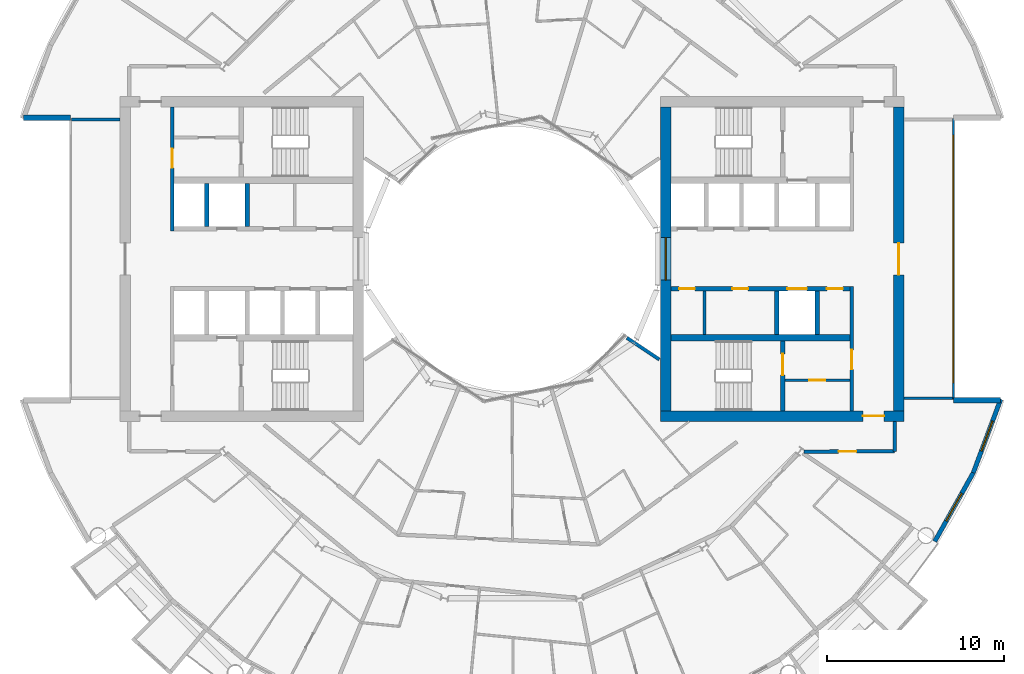
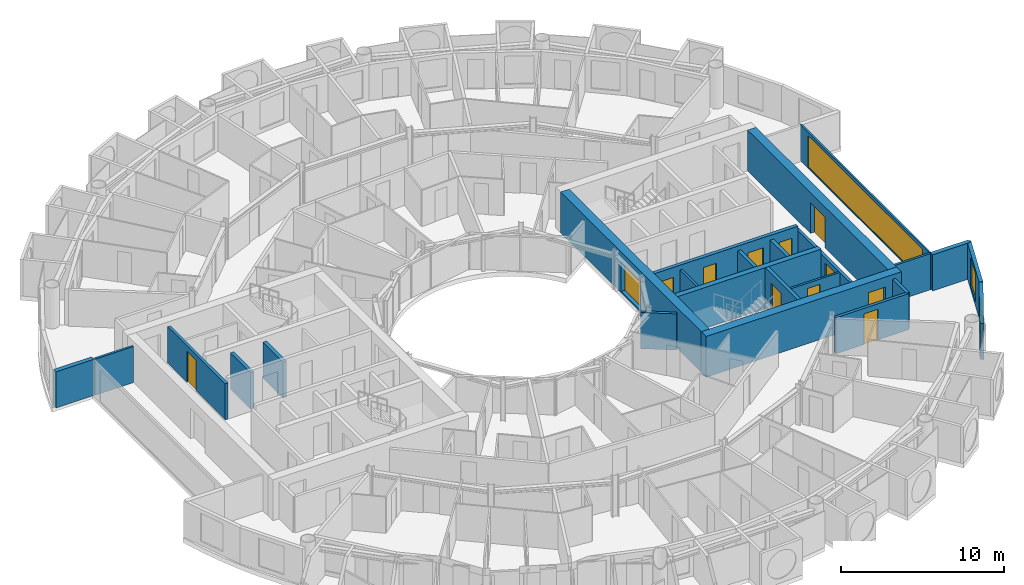
# One storey, part 18 of 27: 24 walls, 11 doors, 4 windows, 15 openings.
"""IFC4 building model written with IfcOpenShell, lengths in metres."""

from ifc_helpers import new_model, si_unit, direction, frame, frame_2d, origin, place, context, subcontext, project, spatial, rectangle, extrude, material, layer, layer_set, type_object, element, fill, save


model = new_model("IFC4")

# Units and contexts
model_context = context("Model", 3, precision=1e-05, world=origin(), true_north=direction((0.0, 1.0)))
body_context = subcontext(model_context, "Body", "Model", "MODEL_VIEW")
ifc_project = project(units=[si_unit("LENGTHUNIT", "METRE"), si_unit("AREAUNIT", "SQUARE_METRE"), si_unit("VOLUMEUNIT", "CUBIC_METRE"), si_unit("PLANEANGLEUNIT", "RADIAN"), si_unit("MASSUNIT", "GRAM", prefix="KILO")], contexts=[model_context])

# Site, building, storey
site_placement = place(None, origin())
site = spatial("IfcSite", under=ifc_project, at=site_placement, CompositionType="ELEMENT")
building_placement = place(site_placement, origin())
building = spatial("IfcBuilding", under=site, at=building_placement, Name="Maasbend Ring Residences", CompositionType="ELEMENT")
storey_placement = place(building_placement, frame((0.0, 0.0, 114.699951171875)))
storey = spatial("IfcBuildingStorey", under=building, at=storey_placement, Name="L32", CompositionType="ELEMENT", Elevation=114.699951171875)

# Wall, openings, doors
ifc_material_1 = material(Name="Concrete C60/75", Category="concrete")
ifc_layer_1 = layer(ifc_material_1, 0.25)
ifc_layer_set_1 = layer_set([ifc_layer_1], Name="Concrete C60/75")
wall_type_1 = type_object("IfcWallType", Name="CORE WALL 250 C60/75", PredefinedType="SHEAR", material=ifc_layer_set_1)
wall_1_placement = place(storey_placement, frame((19.14990234375, -1.699951171875, 0.0), z_axis=(0.0, 0.0, 1.0), x_axis=(-1.0, 0.0, 0.0)))
wall_1 = element("IfcWall", 1, at=wall_1_placement, inside=storey, type_object=wall_type_1, Name="L32 core E wall SPS", PredefinedType="SHEAR", context=body_context, shape_type="SweptSolid", body=[
    extrude(rectangle(XDim=10.14990234375, YDim=0.25, at=frame_2d((5.074951171875, 0.0))), origin(), (0.0, 0.0, 1.0), 3.050048828125),
])
opening_1_placement = place(wall_1_placement, frame((2.449951171875, 0.0, 0.0)))
opening_1 = element("IfcOpeningElement", 2, at=opening_1_placement, cuts=wall_1, Name="Opening LD-E3205", PredefinedType="OPENING", context=body_context, shape_type="SweptSolid", body=[
    extrude(rectangle(XDim=1.10009765625, YDim=2.300048828125, at=frame_2d((0.550048828125, 1.14990234375))), frame((0.0, 0.135009765625, 0.0), z_axis=(0.0, -1.0, 0.0), x_axis=(1.0, 0.0, 0.0)), (0.0, 0.0, 1.0), 0.27001953125),
])
opening_2_placement = place(wall_1_placement, frame((8.78759765625, 0.0, 0.0)))
opening_2 = element("IfcOpeningElement", 3, at=opening_2_placement, cuts=wall_1, Name="Opening D-E3206", PredefinedType="OPENING", context=body_context, shape_type="SweptSolid", body=[
    extrude(rectangle(XDim=0.89990234375, YDim=2.300048828125, at=frame_2d((0.449951171875, 1.14990234375))), frame((0.0, 0.135009765625, 0.0), z_axis=(0.0, -1.0, 0.0), x_axis=(1.0, 0.0, 0.0)), (0.0, 0.0, 1.0), 0.27001953125),
])
opening_3_placement = place(wall_1_placement, frame((5.77490234375, 0.0, 0.0)))
opening_3 = element("IfcOpeningElement", 4, at=opening_3_placement, cuts=wall_1, Name="Opening D-E3207", PredefinedType="OPENING", context=body_context, shape_type="SweptSolid", body=[
    extrude(rectangle(XDim=0.89990234375, YDim=2.300048828125, at=frame_2d((0.449951171875, 1.14990234375))), frame((0.0, 0.135009765625, 0.0), z_axis=(0.0, -1.0, 0.0), x_axis=(1.0, 0.0, 0.0)), (0.0, 0.0, 1.0), 0.27001953125),
])
opening_4_placement = place(wall_1_placement, frame((0.41259765625, 0.0, 0.0)))
opening_4 = element("IfcOpeningElement", 5, at=opening_4_placement, cuts=wall_1, Name="Opening D-E3208", PredefinedType="OPENING", context=body_context, shape_type="SweptSolid", body=[
    extrude(rectangle(XDim=0.89990234375, YDim=2.300048828125, at=frame_2d((0.449951171875, 1.14990234375))), frame((0.0, 0.135009765625, 0.0), z_axis=(0.0, -1.0, 0.0), x_axis=(1.0, 0.0, 0.0)), (0.0, 0.0, 1.0), 0.27001953125),
])
ifc_material_2 = material(Name="Stainless steel 316", Category="steel")
door_type_1 = type_object("IfcDoorType", Name="LANDING DOOR 1100 X 2300 FD60", OperationType="DOUBLE_DOOR_SLIDING", PredefinedType="DOOR", material=ifc_material_2)
door_1_placement = place(opening_1_placement, origin())
door_1 = element("IfcDoor", 6, at=door_1_placement, inside=storey, type_object=door_type_1, Name="Landing door SV-E L32", OperationType="DOUBLE_DOOR_SLIDING", OverallHeight=2.300048828125, OverallWidth=1.10009765625, PredefinedType="DOOR", context=body_context, shape_type="SweptSolid", body=[
    extrude(rectangle(XDim=1.10009765625, YDim=2.300048828125, at=frame_2d((0.550048828125, 1.14990234375))), frame((0.0, 0.02490234375, 0.0), z_axis=(0.0, -1.0, 0.0), x_axis=(1.0, 0.0, 0.0)), (0.0, 0.0, 1.0), 0.050048828125),
])
fill(opening_1, door_1)
ifc_material_3 = material(Name="Steel, powder coated", Category="steel")
door_type_2 = type_object("IfcDoorType", Name="ROOM DOOR 900 X 2300 FD30S", OperationType="NOTDEFINED", PredefinedType="DOOR", material=ifc_material_3)
door_2_placement = place(opening_2_placement, origin())
door_2 = element("IfcDoor", 7, at=door_2_placement, inside=storey, type_object=door_type_2, Name="Room door L32", OperationType="SINGLE_SWING_LEFT", OverallHeight=2.300048828125, OverallWidth=0.89990234375, PredefinedType="DOOR", context=body_context, shape_type="SweptSolid", body=[
    extrude(rectangle(XDim=0.89990234375, YDim=2.300048828125, at=frame_2d((0.449951171875, 1.14990234375))), frame((0.0, 0.02490234375, 0.0), z_axis=(0.0, -1.0, 0.0), x_axis=(1.0, 0.0, 0.0)), (0.0, 0.0, 1.0), 0.050048828125),
])
fill(opening_2, door_2)
door_3_placement = place(opening_3_placement, origin())
door_3 = element("IfcDoor", 8, at=door_3_placement, inside=storey, type_object=door_type_2, Name="Room door L32", OperationType="SINGLE_SWING_LEFT", OverallHeight=2.300048828125, OverallWidth=0.89990234375, PredefinedType="DOOR", context=body_context, shape_type="SweptSolid", body=[
    extrude(rectangle(XDim=0.89990234375, YDim=2.300048828125, at=frame_2d((0.449951171875, 1.14990234375))), frame((0.0, 0.02490234375, 0.0), z_axis=(0.0, -1.0, 0.0), x_axis=(1.0, 0.0, 0.0)), (0.0, 0.0, 1.0), 0.050048828125),
])
fill(opening_3, door_3)
door_4_placement = place(opening_4_placement, origin())
door_4 = element("IfcDoor", 9, at=door_4_placement, inside=storey, type_object=door_type_2, Name="Room door L32", OperationType="SINGLE_SWING_RIGHT", OverallHeight=2.300048828125, OverallWidth=0.89990234375, PredefinedType="DOOR", context=body_context, shape_type="SweptSolid", body=[
    extrude(rectangle(XDim=0.89990234375, YDim=2.300048828125, at=frame_2d((0.449951171875, 1.14990234375))), frame((0.0, 0.02490234375, 0.0), z_axis=(0.0, -1.0, 0.0), x_axis=(1.0, 0.0, 0.0)), (0.0, 0.0, 1.0), 0.050048828125),
])
fill(opening_4, door_4)

# Wall, opening, door
wall_2_placement = place(storey_placement, frame((15.324951171875, -8.60009765625, 0.0), z_axis=(0.0, 0.0, 1.0), x_axis=(0.0, 1.0, 0.0)))
wall_2 = element("IfcWall", 10, at=wall_2_placement, inside=storey, type_object=wall_type_1, Name="L32 core E wall STES", PredefinedType="SHEAR", context=body_context, shape_type="SweptSolid", body=[
    extrude(rectangle(XDim=3.9501953125, YDim=0.25, at=frame_2d((1.97509765625, 0.0))), origin(), (0.0, 0.0, 1.0), 3.050048828125),
])
opening_5_placement = place(wall_2_placement, frame((2.02490234375, 0.0, 0.0)))
opening_5 = element("IfcOpeningElement", 11, at=opening_5_placement, cuts=wall_2, Name="Opening D-E3211", PredefinedType="OPENING", context=body_context, shape_type="SweptSolid", body=[
    extrude(rectangle(XDim=1.199951171875, YDim=2.300048828125, at=frame_2d((0.60009765625, 1.14990234375))), frame((0.0, 0.135009765625, 0.0), z_axis=(0.0, -1.0, 0.0), x_axis=(1.0, 0.0, 0.0)), (0.0, 0.0, 1.0), 0.27001953125),
])
ifc_material_4 = material(Name="Steel, powder coated", Category="steel")
door_type_3 = type_object("IfcDoorType", Name="STAIR DOOR 1200 X 2300 FD60", OperationType="NOTDEFINED", PredefinedType="DOOR", material=ifc_material_4)
door_5_placement = place(opening_5_placement, origin())
door_5 = element("IfcDoor", 12, at=door_5_placement, inside=storey, type_object=door_type_3, Name="Stair door ST-E L32", OperationType="SINGLE_SWING_LEFT", OverallHeight=2.300048828125, OverallWidth=1.199951171875, PredefinedType="DOOR", context=body_context, shape_type="SweptSolid", body=[
    extrude(rectangle(XDim=1.199951171875, YDim=2.300048828125, at=frame_2d((0.60009765625, 1.14990234375))), frame((0.0, 0.02490234375, 0.0), z_axis=(0.0, -1.0, 0.0), x_axis=(1.0, 0.0, 0.0)), (0.0, 0.0, 1.0), 0.050048828125),
])
fill(opening_5, door_5)

# Wall
ifc_material_5 = material(Name="Concrete C60/75", Category="concrete")
ifc_layer_2 = layer(ifc_material_5, 0.375)
ifc_layer_set_2 = layer_set([ifc_layer_2], Name="Concrete C60/75")
wall_type_2 = type_object("IfcWallType", Name="CORE WALL 375 C60/75", PredefinedType="SHEAR", material=ifc_layer_set_2)
wall_3_placement = place(storey_placement, frame((9.0, -4.46240234375, 0.0), z_axis=(0.0, 0.0, 1.0), x_axis=(1.0, 0.0, 0.0)))
element("IfcWall", 13, at=wall_3_placement, inside=storey, type_object=wall_type_2, Name="L32 core E wall BS", PredefinedType="SHEAR", context=body_context, shape_type="SweptSolid", body=[
    extrude(rectangle(XDim=10.14990234375, YDim=0.375, at=frame_2d((5.074951171875, 0.0))), origin(), (0.0, 0.0, 1.0), 3.050048828125),
])

# Wall, opening, door
ifc_material_6 = material(Name="Concrete C60/75", Category="concrete")
ifc_layer_3 = layer(ifc_material_6, 0.60009765625)
ifc_layer_set_3 = layer_set([ifc_layer_3], Name="Concrete C60/75")
wall_type_3 = type_object("IfcWallType", Name="CORE WALL 600 C60/75", PredefinedType="SHEAR", material=ifc_layer_set_3)
wall_4_placement = place(storey_placement, frame((8.39990234375, -8.89990234375, 0.0), z_axis=(0.0, 0.0, 1.0), x_axis=(1.0, 0.0, 0.0)))
wall_4 = element("IfcWall", 14, at=wall_4_placement, inside=storey, type_object=wall_type_3, Name="L32 core E wall PS", PredefinedType="SHEAR", context=body_context, shape_type="SweptSolid", body=[
    extrude(rectangle(XDim=13.800048828125, YDim=0.60009765625, at=frame_2d((6.89990234375, 0.0))), origin(), (0.0, 0.0, 1.0), 3.050048828125),
])
opening_6_placement = place(wall_4_placement, frame((11.47509765625, 0.0, 0.0)))
opening_6 = element("IfcOpeningElement", 15, at=opening_6_placement, cuts=wall_4, Name="Opening D-E3215", PredefinedType="OPENING", context=body_context, shape_type="SweptSolid", body=[
    extrude(rectangle(XDim=1.199951171875, YDim=2.300048828125, at=frame_2d((0.60009765625, 1.14990234375))), frame((0.0, 0.31005859375, 0.0), z_axis=(0.0, -1.0, 0.0), x_axis=(1.0, 0.0, 0.0)), (0.0, 0.0, 1.0), 0.6201171875),
])
ifc_material_7 = material(Name="Steel, powder coated", Category="steel")
door_type_4 = type_object("IfcDoorType", Name="CORRIDOR DOOR 1200 X 2300 FD30S", OperationType="NOTDEFINED", PredefinedType="DOOR", material=ifc_material_7)
door_6_placement = place(opening_6_placement, origin())
door_6 = element("IfcDoor", 16, at=door_6_placement, inside=storey, type_object=door_type_4, Name="Corridor door L32", OperationType="SINGLE_SWING_LEFT", OverallHeight=2.300048828125, OverallWidth=1.199951171875, PredefinedType="DOOR", context=body_context, shape_type="SweptSolid", body=[
    extrude(rectangle(XDim=1.199951171875, YDim=2.300048828125, at=frame_2d((0.60009765625, 1.14990234375))), frame((0.0, 0.02490234375, 0.0), z_axis=(0.0, -1.0, 0.0), x_axis=(1.0, 0.0, 0.0)), (0.0, 0.0, 1.0), 0.050048828125),
])
fill(opening_6, door_6)

wall_5_placement = place(storey_placement, frame((21.89990234375, 8.60009765625, 0.0), z_axis=(0.0, 0.0, 1.0), x_axis=(0.0, -1.0, 0.0)))
wall_5 = element("IfcWall", 17, at=wall_5_placement, inside=storey, type_object=wall_type_3, Name="L32 core E wall POUT", PredefinedType="SHEAR", context=body_context, shape_type="SweptSolid", body=[
    extrude(rectangle(XDim=17.2001953125, YDim=0.60009765625, at=frame_2d((8.60009765625, 0.0))), origin(), (0.0, 0.0, 1.0), 3.050048828125),
])
opening_7_placement = place(wall_5_placement, frame((7.699951171875, 0.0, 0.0)))
opening_7 = element("IfcOpeningElement", 18, at=opening_7_placement, cuts=wall_5, Name="Opening D-E3216", PredefinedType="OPENING", context=body_context, shape_type="SweptSolid", body=[
    extrude(rectangle(XDim=1.800048828125, YDim=2.300048828125, at=frame_2d((0.89990234375, 1.14990234375))), frame((0.0, 0.31005859375, 0.0), z_axis=(0.0, -1.0, 0.0), x_axis=(1.0, 0.0, 0.0)), (0.0, 0.0, 1.0), 0.6201171875),
])
ifc_material_8 = material(Name="Aluminium frame, clear glass", Category="aluminium")
door_type_5 = type_object("IfcDoorType", Name="ENTRANCE DOOR 1800 X 2300 FD60", OperationType="NOTDEFINED", PredefinedType="DOOR", material=ifc_material_8)
door_7_placement = place(opening_7_placement, origin())
door_7 = element("IfcDoor", 19, at=door_7_placement, inside=storey, type_object=door_type_5, Name="Lobby glazed door L32", OperationType="SINGLE_SWING_LEFT", OverallHeight=2.300048828125, OverallWidth=1.800048828125, PredefinedType="DOOR", context=body_context, shape_type="SweptSolid", body=[
    extrude(rectangle(XDim=1.800048828125, YDim=2.300048828125, at=frame_2d((0.89990234375, 1.14990234375))), frame((0.0, 0.02490234375, 0.0), z_axis=(0.0, -1.0, 0.0), x_axis=(1.0, 0.0, 0.0)), (0.0, 0.0, 1.0), 0.050048828125),
])
fill(opening_7, door_7)

# Wall, opening, window
wall_6_placement = place(storey_placement, frame((8.699951171875, -8.60009765625, 0.0), z_axis=(0.0, 0.0, 1.0), x_axis=(0.0, 1.0, 0.0)))
wall_6 = element("IfcWall", 20, at=wall_6_placement, inside=storey, type_object=wall_type_3, Name="L32 core E wall PIN", PredefinedType="SHEAR", context=body_context, shape_type="SweptSolid", body=[
    extrude(rectangle(XDim=17.2001953125, YDim=0.60009765625, at=frame_2d((8.60009765625, 0.0))), origin(), (0.0, 0.0, 1.0), 3.050048828125),
])
opening_8_placement = place(wall_6_placement, frame((7.39990234375, 0.0, 0.10009765625)))
opening_8 = element("IfcOpeningElement", 21, at=opening_8_placement, cuts=wall_6, Name="Opening W-E3201", PredefinedType="OPENING", context=body_context, shape_type="SweptSolid", body=[
    extrude(rectangle(XDim=2.39990234375, YDim=2.199951171875, at=frame_2d((1.199951171875, 1.10009765625))), frame((0.0, 0.31005859375, 0.0), z_axis=(0.0, -1.0, 0.0), x_axis=(1.0, 0.0, 0.0)), (0.0, 0.0, 1.0), 0.6201171875),
])
ifc_material_9 = material(Name="Aluminium frame and clear glass", Category="aluminium")
window_type_1 = type_object("IfcWindowType", Name="FIXED WINDOW 2400 X 2200", PartitioningType="SINGLE_PANEL", PredefinedType="WINDOW", material=ifc_material_9)
window_1_placement = place(opening_8_placement, origin())
window_1 = element("IfcWindow", 22, at=window_1_placement, inside=storey, type_object=window_type_1, Name="Lobby window L32", OverallHeight=2.199951171875, OverallWidth=2.39990234375, PartitioningType="SINGLE_PANEL", PredefinedType="WINDOW", context=body_context, shape_type="SweptSolid", body=[
    extrude(rectangle(XDim=2.39990234375, YDim=2.199951171875, at=frame_2d((1.199951171875, 1.10009765625))), frame((0.0, 0.030029296875, 0.0), z_axis=(0.0, -1.0, 0.0), x_axis=(1.0, 0.0, 0.0)), (0.0, 0.0, 1.0), 0.06005859375),
])
fill(opening_8, window_1)

# Wall
ifc_material_10 = material(Name="Concrete C30/37", Category="concrete")
ifc_layer_4 = layer(ifc_material_10, 0.199951171875)
ifc_layer_set_4 = layer_set([ifc_layer_4], Name="Concrete C30/37")
wall_type_4 = type_object("IfcWallType", Name="CORRIDOR WALL 200 CONCRETE", PredefinedType="PARTITIONING", material=ifc_layer_set_4)
wall_7_placement = place(storey_placement, frame((21.675048828125, -10.89990234375, 0.0), z_axis=(0.0, 0.0, 1.0), x_axis=(0.0, 1.0, 0.0)))
element("IfcWall", 23, at=wall_7_placement, inside=storey, type_object=wall_type_4, Name="U-L32-w003", PredefinedType="PARTITIONING", context=body_context, shape_type="SweptSolid", body=[
    extrude(rectangle(XDim=1.699951171875, YDim=0.199951171875, at=frame_2d((0.85009765625, 0.0))), origin(), (0.0, 0.0, 1.0), 2.699951171875),
])

# Wall, opening, door
wall_8_placement = place(storey_placement, frame((16.541015625, -10.912109375, 0.0), z_axis=(0.0, 0.0, 1.0), x_axis=(0.999997173357, 0.002377662213, 0.0)))
wall_8 = element("IfcWall", 24, at=wall_8_placement, inside=storey, type_object=wall_type_4, Name="U-L32-w025", PredefinedType="PARTITIONING", context=body_context, shape_type="SweptSolid", body=[
    extrude(rectangle(XDim=5.134033203125, YDim=0.199951171875, at=frame_2d((2.56689453125, 0.0))), origin(), (0.0, 0.0, 1.0), 2.699951171875),
])
opening_9_placement = place(wall_8_placement, frame((1.962890625, 0.0, 0.0)))
opening_9 = element("IfcOpeningElement", 25, at=opening_9_placement, cuts=wall_8, Name="Opening D-3269", PredefinedType="OPENING", context=body_context, shape_type="SweptSolid", body=[
    extrude(rectangle(XDim=1.0, YDim=2.300048828125, at=frame_2d((0.5, 1.14990234375))), frame((0.0, 0.10986328125, 0.0), z_axis=(0.0, -1.0, 0.0), x_axis=(1.0, 0.0, 0.0)), (0.0, 0.0, 1.0), 0.219970703125),
])
ifc_material_11 = material(Name="Timber, painted", Category="wood")
door_type_6 = type_object("IfcDoorType", Name="ROOM DOOR 1000 X 2300", OperationType="NOTDEFINED", PredefinedType="DOOR", material=ifc_material_11)
door_8_placement = place(opening_9_placement, origin())
door_8 = element("IfcDoor", 26, at=door_8_placement, inside=storey, type_object=door_type_6, Name="D-3269", OperationType="SINGLE_SWING_LEFT", OverallHeight=2.300048828125, OverallWidth=1.0, PredefinedType="DOOR", context=body_context, shape_type="SweptSolid", body=[
    extrude(rectangle(XDim=1.0, YDim=2.300048828125, at=frame_2d((0.5, 1.14990234375))), frame((0.0, 0.02490234375, 0.0), z_axis=(0.0, -1.0, 0.0), x_axis=(1.0, 0.0, 0.0)), (0.0, 0.0, 1.0), 0.050048828125),
])
fill(opening_9, door_8)

# Wall, opening, window
ifc_material_12 = material(Name="Aluminium clad insulated panel", Category="aluminium")
ifc_layer_5 = layer(ifc_material_12, 0.25)
ifc_layer_set_5 = layer_set([ifc_layer_5], Name="EW-HORN")
wall_type_5 = type_object("IfcWallType", Name="EW-HORN", PredefinedType="SOLIDWALL", material=ifc_layer_set_5)
wall_9_placement = place(storey_placement, frame((23.946044921875, -16.0, 0.0), z_axis=(0.0, 0.0, 1.0), x_axis=(0.489696356642, 0.871893042919, 0.0)))
wall_9 = element("IfcWall", 27, at=wall_9_placement, inside=storey, type_object=wall_type_5, Name="Horn wall 2.1", PredefinedType="SOLIDWALL", context=body_context, shape_type="SweptSolid", body=[
    extrude(rectangle(XDim=4.45361328125, YDim=0.25, at=frame_2d((2.226806640625, 0.0))), origin(), (0.0, 0.0, 1.0), 2.699951171875),
])
opening_10_placement = place(wall_9_placement, frame((1.32666015625, 0.0, 0.300048828125)))
opening_10 = element("IfcOpeningElement", 28, at=opening_10_placement, cuts=wall_9, Name="Opening W-BX", PredefinedType="OPENING", context=body_context, shape_type="SweptSolid", body=[
    extrude(rectangle(XDim=1.800048828125, YDim=2.10009765625, at=frame_2d((0.89990234375, 1.050048828125))), frame((0.0, 0.135009765625, 0.0), z_axis=(0.0, -1.0, 0.0), x_axis=(1.0, 0.0, 0.0)), (0.0, 0.0, 1.0), 0.27001953125),
])
ifc_material_13 = material(Name="Aluminium and clear glass", Category="aluminium")
window_type_2 = type_object("IfcWindowType", Name="W-BX", PartitioningType="DOUBLE_PANEL_VERTICAL", PredefinedType="WINDOW", material=ifc_material_13)
window_2_placement = place(opening_10_placement, origin())
window_2 = element("IfcWindow", 29, at=window_2_placement, inside=storey, type_object=window_type_2, Name="Horn window 2.1", OverallHeight=2.10009765625, OverallWidth=1.800048828125, PartitioningType="SINGLE_PANEL", PredefinedType="WINDOW", context=body_context, shape_type="SweptSolid", body=[
    extrude(rectangle(XDim=1.800048828125, YDim=2.10009765625, at=frame_2d((0.89990234375, 1.050048828125))), frame((0.0, 0.030029296875, 0.0), z_axis=(0.0, -1.0, 0.0), x_axis=(1.0, 0.0, 0.0)), (0.0, 0.0, 1.0), 0.06005859375),
])
fill(opening_10, window_2)

wall_10_placement = place(storey_placement, frame((26.126953125, -12.116943359375, 0.0), z_axis=(0.0, 0.0, 1.0), x_axis=(0.349247811493, 0.937030397675, 0.0)))
wall_10 = element("IfcWall", 30, at=wall_10_placement, inside=storey, type_object=wall_type_5, Name="Horn wall 2.2", PredefinedType="SOLIDWALL", context=body_context, shape_type="SweptSolid", body=[
    extrude(rectangle(XDim=4.4521484375, YDim=0.25, at=frame_2d((2.22607421875, 0.0))), origin(), (0.0, 0.0, 1.0), 2.699951171875),
])
opening_11_placement = place(wall_10_placement, frame((1.32666015625, 0.0, 0.300048828125)))
opening_11 = element("IfcOpeningElement", 31, at=opening_11_placement, cuts=wall_10, Name="Opening W-BX", PredefinedType="OPENING", context=body_context, shape_type="SweptSolid", body=[
    extrude(rectangle(XDim=1.800048828125, YDim=2.10009765625, at=frame_2d((0.89990234375, 1.050048828125))), frame((0.0, 0.135009765625, 0.0), z_axis=(0.0, -1.0, 0.0), x_axis=(1.0, 0.0, 0.0)), (0.0, 0.0, 1.0), 0.27001953125),
])
window_3_placement = place(opening_11_placement, origin())
window_3 = element("IfcWindow", 32, at=window_3_placement, inside=storey, type_object=window_type_2, Name="Horn window 2.2", OverallHeight=2.10009765625, OverallWidth=1.800048828125, PartitioningType="SINGLE_PANEL", PredefinedType="WINDOW", context=body_context, shape_type="SweptSolid", body=[
    extrude(rectangle(XDim=1.800048828125, YDim=2.10009765625, at=frame_2d((0.89990234375, 1.050048828125))), frame((0.0, 0.030029296875, 0.0), z_axis=(0.0, -1.0, 0.0), x_axis=(1.0, 0.0, 0.0)), (0.0, 0.0, 1.0), 0.06005859375),
])
fill(opening_11, window_3)

# Walls
ifc_material_14 = material(Name="Aluminium clad insulated panel", Category="aluminium")
ifc_layer_6 = layer(ifc_material_14, 0.300048828125)
ifc_layer_set_6 = layer_set([ifc_layer_6], Name="EW-RET")
wall_type_6 = type_object("IfcWallType", Name="EW-RET", PredefinedType="SOLIDWALL", material=ifc_layer_set_6)
for number, where, z_axis, x_axis, name in (
    (33, (25.0, -8.0, 0.0), (0.0, 0.0, 1.0), (1.0, 0.0, 0.0), "Notch return wall east south"),
    (34, (-25.0, 8.0, 0.0), (0.0, 0.0, 1.0), (-1.0, 0.0, 0.0), "Notch return wall west north"),
):
    element("IfcWall", number, at=place(storey_placement, frame(where, z_axis=z_axis, x_axis=x_axis)), inside=storey, type_object=wall_type_6, Name=name, PredefinedType="SOLIDWALL", context=body_context, shape_type="SweptSolid", body=[
        extrude(rectangle(XDim=2.6669921875, YDim=0.300048828125, at=frame_2d((1.33349609375, 0.0))), origin(), (0.0, 0.0, 1.0), 2.699951171875),
    ])

# Wall, opening, window
ifc_material_15 = material(Name="Aluminium frame and clear glass", Category="aluminium")
ifc_layer_7 = layer(ifc_material_15, 0.1201171875)
ifc_layer_set_7 = layer_set([ifc_layer_7], Name="GLAZED SCREEN WALL 120 EI 60")
wall_type_7 = type_object("IfcWallType", Name="GLAZED SCREEN WALL 120 EI 60", PredefinedType="PARTITIONING", material=ifc_layer_set_7)
wall_11_placement = place(storey_placement, frame((25.0, -7.949951171875, 0.0), z_axis=(0.0, 0.0, 1.0), x_axis=(0.0, 1.0, 0.0)))
wall_11 = element("IfcWall", 35, at=wall_11_placement, inside=storey, type_object=wall_type_7, Name="L32 core E wall FACE", PredefinedType="PARTITIONING", context=body_context, shape_type="SweptSolid", body=[
    extrude(rectangle(XDim=15.89990234375, YDim=0.1201171875, at=frame_2d((7.949951171875, 0.0))), origin(), (0.0, 0.0, 1.0), 2.699951171875),
])
opening_12_placement = place(wall_11_placement, frame((0.949951171875, 0.0, 0.10009765625)))
opening_12 = element("IfcOpeningElement", 36, at=opening_12_placement, cuts=wall_11, Name="Opening W-E3202", PredefinedType="OPENING", context=body_context, shape_type="SweptSolid", body=[
    extrude(rectangle(XDim=14.0, YDim=2.35009765625, at=frame_2d((7.0, 1.175048828125))), frame((0.0, 0.070068359375, 0.0), z_axis=(0.0, -1.0, 0.0), x_axis=(1.0, 0.0, 0.0)), (0.0, 0.0, 1.0), 0.14013671875),
])
ifc_material_16 = material(Name="Aluminium frame and clear glass", Category="aluminium")
window_type_3 = type_object("IfcWindowType", Name="FIXED WINDOW 14000 X 2350", PartitioningType="SINGLE_PANEL", PredefinedType="WINDOW", material=ifc_material_16)
window_4_placement = place(opening_12_placement, origin())
window_4 = element("IfcWindow", 37, at=window_4_placement, inside=storey, type_object=window_type_3, Name="Lobby window L32", OverallHeight=2.35009765625, OverallWidth=14.0, PartitioningType="SINGLE_PANEL", PredefinedType="WINDOW", context=body_context, shape_type="SweptSolid", body=[
    extrude(rectangle(XDim=14.0, YDim=2.35009765625, at=frame_2d((7.0, 1.175048828125))), frame((0.0, 0.030029296875, 0.0), z_axis=(0.0, -1.0, 0.0), x_axis=(1.0, 0.0, 0.0)), (0.0, 0.0, 1.0), 0.06005859375),
])
fill(opening_12, window_4)

# Wall
ifc_material_17 = material(Name="Gypsum board on steel studs", Category="steel")
ifc_layer_8 = layer(ifc_material_17, 0.14990234375)
ifc_layer_set_8 = layer_set([ifc_layer_8], Name="PARTITION 150 EI 60")
wall_type_8 = type_object("IfcWallType", Name="PARTITION 150 EI 60", PredefinedType="PARTITIONING", material=ifc_layer_set_8)
wall_12_placement = place(storey_placement, frame((10.89990234375, -1.824951171875, 0.0), z_axis=(0.0, 0.0, 1.0), x_axis=(0.0, -1.0, 0.0)))
element("IfcWall", 38, at=wall_12_placement, inside=storey, type_object=wall_type_8, Name="L32 core E wall PRS1090", PredefinedType="PARTITIONING", context=body_context, shape_type="SweptSolid", body=[
    extrude(rectangle(XDim=2.449951171875, YDim=0.14990234375, at=frame_2d((1.22509765625, 0.0))), origin(), (0.0, 0.0, 1.0), 2.699951171875),
])

# Wall, opening, door
wall_13_placement = place(storey_placement, frame((15.449951171875, -6.875, 0.0), z_axis=(0.0, 0.0, 1.0), x_axis=(1.0, 0.0, 0.0)))
wall_13 = element("IfcWall", 39, at=wall_13_placement, inside=storey, type_object=wall_type_8, Name="L32 core E wall RHS", PredefinedType="PARTITIONING", context=body_context, shape_type="SweptSolid", body=[
    extrude(rectangle(XDim=3.699951171875, YDim=0.14990234375, at=frame_2d((1.85009765625, 0.0))), origin(), (0.0, 0.0, 1.0), 2.699951171875),
])
opening_13_placement = place(wall_13_placement, frame((1.39990234375, 0.0, 0.0)))
opening_13 = element("IfcOpeningElement", 40, at=opening_13_placement, cuts=wall_13, Name="Opening D-E3209", PredefinedType="OPENING", context=body_context, shape_type="SweptSolid", body=[
    extrude(rectangle(XDim=0.89990234375, YDim=2.300048828125, at=frame_2d((0.449951171875, 1.14990234375))), frame((0.0, 0.0849609375, 0.0), z_axis=(0.0, -1.0, 0.0), x_axis=(1.0, 0.0, 0.0)), (0.0, 0.0, 1.0), 0.169921875),
])
ifc_material_18 = material(Name="Steel, powder coated", Category="steel")
door_type_7 = type_object("IfcDoorType", Name="RISER DOOR 900 X 2300 FD60", OperationType="NOTDEFINED", PredefinedType="DOOR", material=ifc_material_18)
door_9_placement = place(opening_13_placement, origin())
door_9 = element("IfcDoor", 41, at=door_9_placement, inside=storey, type_object=door_type_7, Name="Riser door L32", OperationType="SINGLE_SWING_LEFT", OverallHeight=2.300048828125, OverallWidth=0.89990234375, PredefinedType="DOOR", context=body_context, shape_type="SweptSolid", body=[
    extrude(rectangle(XDim=0.89990234375, YDim=2.300048828125, at=frame_2d((0.449951171875, 1.14990234375))), frame((0.0, 0.02490234375, 0.0), z_axis=(0.0, -1.0, 0.0), x_axis=(1.0, 0.0, 0.0)), (0.0, 0.0, 1.0), 0.050048828125),
])
fill(opening_13, door_9)

# Walls
for number, where, z_axis, x_axis, name in (
    (42, (22.199951171875, -7.89990234375, 0.0), (0.0, 0.0, 1.0), (1.0, 0.0, 0.0), "L32 core E wall CITS"),
    (43, (-22.199951171875, 7.89990234375, 0.0), (0.0, 0.0, 1.0), (-1.0, 0.0, 0.0), "L32 core W wall CITS"),
):
    element("IfcWall", number, at=place(storey_placement, frame(where, z_axis=z_axis, x_axis=x_axis)), inside=storey, type_object=wall_type_8, Name=name, PredefinedType="PARTITIONING", context=body_context, shape_type="SweptSolid", body=[
        extrude(rectangle(XDim=2.739990234375, YDim=0.14990234375, at=frame_2d((1.3701171875, 0.0))), origin(), (0.0, 0.0, 1.0), 2.699951171875),
    ])
ifc_material_19 = material(Name="Concrete C30/37", Category="concrete")
ifc_layer_9 = layer(ifc_material_19, 0.199951171875)
ifc_layer_set_9 = layer_set([ifc_layer_9], Name="Concrete C30/37")
wall_type_9 = type_object("IfcWallType", Name="PARTY WALL 200 CONCRETE", PredefinedType="PARTITIONING", material=ifc_layer_set_9)
wall_14_placement = place(storey_placement, frame((6.512939453125, -4.471923828125, 0.0), z_axis=(0.0, 0.0, 1.0), x_axis=(0.831333375071, -0.555774072347, 0.0)))
element("IfcWall", 44, at=wall_14_placement, inside=storey, type_object=wall_type_9, Name="U-L32-w027", PredefinedType="PARTITIONING", context=body_context, shape_type="SweptSolid", body=[
    extrude(rectangle(XDim=2.20263671875, YDim=0.199951171875, at=frame_2d((1.101318359375, 0.0))), origin(), (0.0, 0.0, 1.0), 2.699951171875),
])

# Wall, opening, door
ifc_material_20 = material(Name="Concrete C30/37", Category="concrete")
ifc_layer_10 = layer(ifc_material_20, 0.199951171875)
ifc_layer_set_10 = layer_set([ifc_layer_10], Name="Concrete C30/37")
wall_type_10 = type_object("IfcWallType", Name="SHAFT WALL 200 EI 120", PredefinedType="SOLIDWALL", material=ifc_layer_set_10)
wall_15_placement = place(storey_placement, frame((19.25, -8.60009765625, 0.0), z_axis=(0.0, 0.0, 1.0), x_axis=(0.0, 1.0, 0.0)))
wall_15 = element("IfcWall", 45, at=wall_15_placement, inside=storey, type_object=wall_type_10, Name="L32 core E wall ENDS", PredefinedType="SOLIDWALL", context=body_context, shape_type="SweptSolid", body=[
    extrude(rectangle(XDim=7.025146484375, YDim=0.199951171875, at=frame_2d((3.5126953125, 0.0))), origin(), (0.0, 0.0, 1.0), 2.699951171875),
])
opening_14_placement = place(wall_15_placement, frame((2.35009765625, 0.0, 0.0)))
opening_14 = element("IfcOpeningElement", 46, at=opening_14_placement, cuts=wall_15, Name="Opening D-E3213", PredefinedType="OPENING", context=body_context, shape_type="SweptSolid", body=[
    extrude(rectangle(XDim=1.10009765625, YDim=2.300048828125, at=frame_2d((0.550048828125, 1.14990234375))), frame((0.0, 0.10986328125, 0.0), z_axis=(0.0, -1.0, 0.0), x_axis=(1.0, 0.0, 0.0)), (0.0, 0.0, 1.0), 0.219970703125),
])
ifc_material_21 = material(Name="Steel, powder coated", Category="steel")
door_type_8 = type_object("IfcDoorType", Name="LOBBY DOOR 1100 X 2300 FD60", OperationType="NOTDEFINED", PredefinedType="DOOR", material=ifc_material_21)
door_10_placement = place(opening_14_placement, origin())
door_10 = element("IfcDoor", 47, at=door_10_placement, inside=storey, type_object=door_type_8, Name="Lobby door L32", OperationType="SINGLE_SWING_RIGHT", OverallHeight=2.300048828125, OverallWidth=1.10009765625, PredefinedType="DOOR", context=body_context, shape_type="SweptSolid", body=[
    extrude(rectangle(XDim=1.10009765625, YDim=2.300048828125, at=frame_2d((0.550048828125, 1.14990234375))), frame((0.0, 0.02490234375, 0.0), z_axis=(0.0, -1.0, 0.0), x_axis=(1.0, 0.0, 0.0)), (0.0, 0.0, 1.0), 0.050048828125),
])
fill(opening_14, door_10)

wall_16_placement = place(storey_placement, frame((-19.25, 8.60009765625, 0.0), z_axis=(0.0, 0.0, 1.0), x_axis=(0.0, -1.0, 0.0)))
wall_16 = element("IfcWall", 48, at=wall_16_placement, inside=storey, type_object=wall_type_10, Name="L32 core W wall ENDS", PredefinedType="SOLIDWALL", context=body_context, shape_type="SweptSolid", body=[
    extrude(rectangle(XDim=7.025146484375, YDim=0.199951171875, at=frame_2d((3.5126953125, 0.0))), origin(), (0.0, 0.0, 1.0), 2.699951171875),
])
opening_15_placement = place(wall_16_placement, frame((2.35009765625, 0.0, 0.0)))
opening_15 = element("IfcOpeningElement", 49, at=opening_15_placement, cuts=wall_16, Name="Opening D-W3212", PredefinedType="OPENING", context=body_context, shape_type="SweptSolid", body=[
    extrude(rectangle(XDim=1.10009765625, YDim=2.300048828125, at=frame_2d((0.550048828125, 1.14990234375))), frame((0.0, 0.10986328125, 0.0), z_axis=(0.0, -1.0, 0.0), x_axis=(1.0, 0.0, 0.0)), (0.0, 0.0, 1.0), 0.219970703125),
])
door_11_placement = place(opening_15_placement, origin())
door_11 = element("IfcDoor", 50, at=door_11_placement, inside=storey, type_object=door_type_8, Name="Lobby door L32", OperationType="SINGLE_SWING_RIGHT", OverallHeight=2.300048828125, OverallWidth=1.10009765625, PredefinedType="DOOR", context=body_context, shape_type="SweptSolid", body=[
    extrude(rectangle(XDim=1.10009765625, YDim=2.300048828125, at=frame_2d((0.550048828125, 1.14990234375))), frame((0.0, 0.02490234375, 0.0), z_axis=(0.0, -1.0, 0.0), x_axis=(1.0, 0.0, 0.0)), (0.0, 0.0, 1.0), 0.050048828125),
])
fill(opening_15, door_11)

# Walls
ifc_material_22 = material(Name="Concrete C30/37", Category="concrete")
ifc_layer_11 = layer(ifc_material_22, 0.25)
ifc_layer_set_11 = layer_set([ifc_layer_11], Name="Concrete C30/37")
wall_type_11 = type_object("IfcWallType", Name="SHAFT WALL 250 EI 120", PredefinedType="SOLIDWALL", material=ifc_layer_set_11)
for number, where, z_axis, x_axis, name in (
    (51, (15.0, -1.824951171875, 0.0), (0.0, 0.0, 1.0), (0.0, -1.0, 0.0), "L32 core E wall D150S"),
    (52, (17.300048828125, -1.824951171875, 0.0), (0.0, 0.0, 1.0), (0.0, -1.0, 0.0), "L32 core E wall D173S"),
    (53, (-15.0, 1.824951171875, 0.0), (0.0, 0.0, 1.0), (0.0, 1.0, 0.0), "L32 core W wall D150S"),
    (54, (-17.300048828125, 1.824951171875, 0.0), (0.0, 0.0, 1.0), (0.0, 1.0, 0.0), "L32 core W wall D173S"),
):
    element("IfcWall", number, at=place(storey_placement, frame(where, z_axis=z_axis, x_axis=x_axis)), inside=storey, type_object=wall_type_11, Name=name, PredefinedType="SOLIDWALL", context=body_context, shape_type="SweptSolid", body=[
        extrude(rectangle(XDim=2.449951171875, YDim=0.25, at=frame_2d((1.22509765625, 0.0))), origin(), (0.0, 0.0, 1.0), 2.699951171875),
    ])

save(model, "model.ifc")
